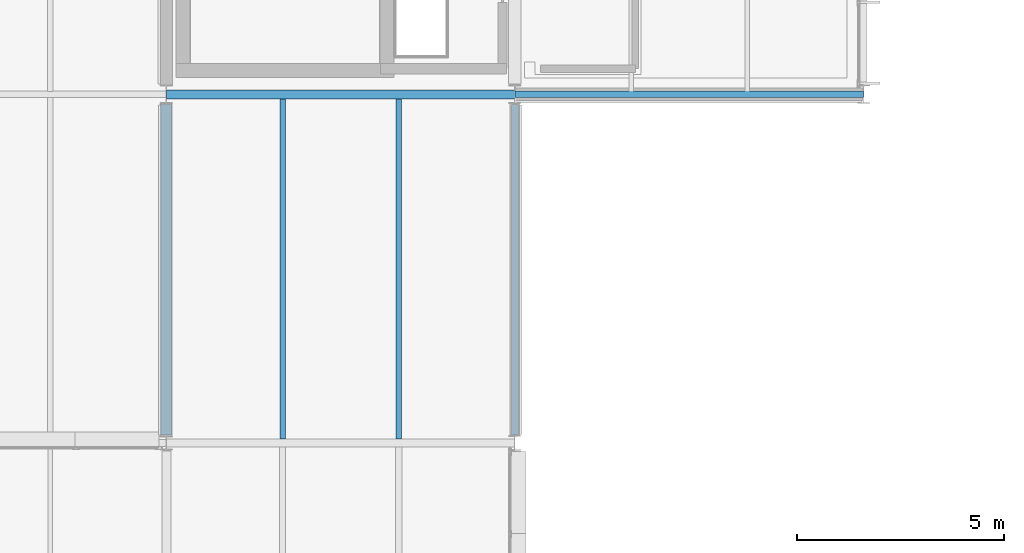
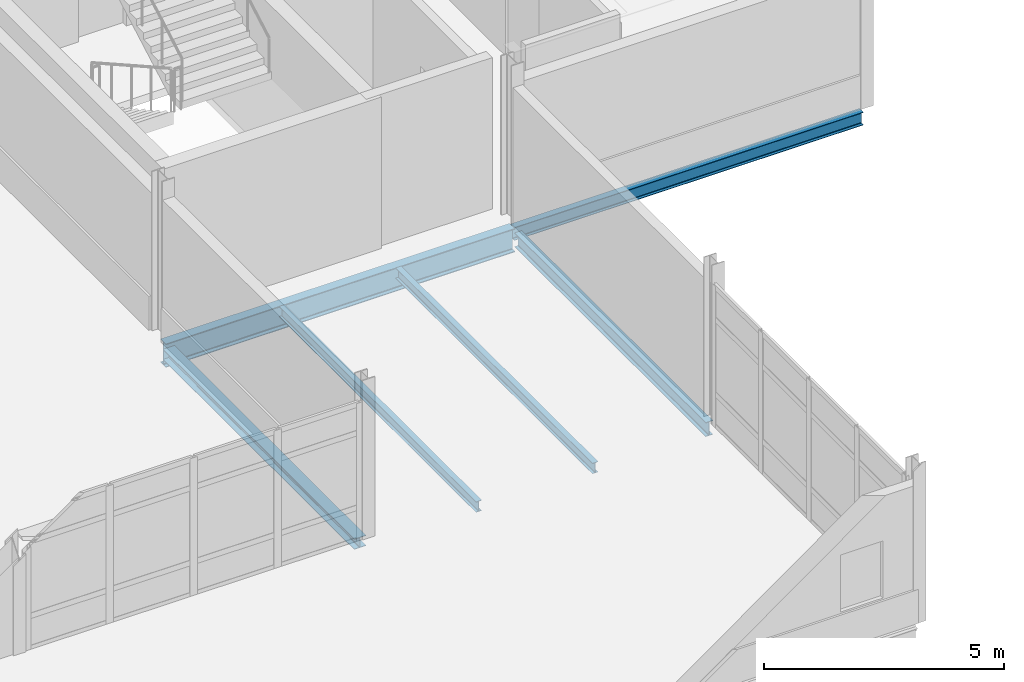
# One storey, part 46 of 131: 6 beams.
"""IFC4 building model written with IfcOpenShell, lengths in metres."""

from ifc_helpers import new_model, si_unit, direction, frame, origin, origin_2d, place, context, subcontext, project, spatial, i_section, extrude, material, material_profile, profile_set, type_object, element, save


model = new_model("IFC4")

# Units and contexts
model_context = context("Model", 3, precision=1e-05, world=origin(), true_north=direction((0.0, 1.0)))
body_context = subcontext(model_context, "Body", "Model", "MODEL_VIEW")
ifc_project = project(units=[si_unit("LENGTHUNIT", "METRE"), si_unit("AREAUNIT", "SQUARE_METRE"), si_unit("VOLUMEUNIT", "CUBIC_METRE"), si_unit("PLANEANGLEUNIT", "RADIAN"), si_unit("MASSUNIT", "GRAM", prefix="KILO")], contexts=[model_context])

# Site, building, storey
site_placement = place(None, origin())
site = spatial("IfcSite", under=ifc_project, at=site_placement, CompositionType="ELEMENT")
building_placement = place(site_placement, origin())
building = spatial("IfcBuilding", under=site, at=building_placement, Name="Mersafa Astral City Hall", CompositionType="ELEMENT")
storey_placement = place(building_placement, frame((0.0, 0.0, 13.949951171875)))
storey = spatial("IfcBuildingStorey", under=building, at=storey_placement, Name="L03", CompositionType="ELEMENT", Elevation=13.949951171875)

# Beams
ifc_material = material(Name="Steel S355", Category="steel")
ifc_material_profile_1 = material_profile(ifc_material, i_section(OverallWidth=0.219970703125, OverallDepth=0.60009765625, WebThickness=0.011962890625, FlangeThickness=0.01904296875, FilletRadius=0.02392578125, at=origin_2d()), Name="IPE 600")
ifc_profile_set_1 = profile_set([ifc_material_profile_1], Name="Steel S355")
beam_type_1 = type_object("IfcBeamType", Name="STR-BM-IPE600", PredefinedType="BEAM", material=ifc_profile_set_1)
beam_1_placement = place(storey_placement, frame((42.0029296875, 109.199951171875, -0.5), z_axis=(1.0, 0.0, 0.0), x_axis=(0.0, 1.0, 0.0)))
element("IfcBeam", 1, at=beam_1_placement, inside=storey, type_object=beam_type_1, Name="L03 Primary girder X 5-13", PredefinedType="BEAM", context=body_context, shape_type="SweptSolid", body=[
    extrude(i_section(OverallWidth=0.219970703125, OverallDepth=0.60009765625, WebThickness=0.011962890625, FlangeThickness=0.01904296875, FilletRadius=0.02392578125, at=origin_2d()), origin(), (0.0, 0.0, 1.0), 8.39404296875),
])
ifc_material_profile_2 = material_profile(ifc_material, i_section(OverallWidth=0.135009765625, OverallDepth=0.27001953125, WebThickness=0.006591796875, FlangeThickness=0.01025390625, FilletRadius=0.014892578125, at=origin_2d()), Name="IPE 270")
ifc_profile_set_2 = profile_set([ifc_material_profile_2], Name="Steel S355")
beam_type_2 = type_object("IfcBeamType", Name="STR-BM-JOIST-IPE270", PredefinedType="JOIST", material=ifc_profile_set_2)
for number, where, z_axis, x_axis, name in (
    (2, (44.800048828125, 100.89501953125, -0.3349609375), (0.0, 1.0, 0.0), (-1.0, 0.0, 0.0), "L03 Composite secondary floor joist 568"),
    (3, (47.60009765625, 100.89501953125, -0.3349609375), (0.0, 1.0, 0.0), (-1.0, 0.0, 0.0), "L03 Composite secondary floor joist 569"),
):
    element("IfcBeam", number, at=place(storey_placement, frame(where, z_axis=z_axis, x_axis=x_axis)), inside=storey, type_object=beam_type_2, Name=name, PredefinedType="JOIST", context=body_context, shape_type="SweptSolid", body=[
        extrude(i_section(OverallWidth=0.135009765625, OverallDepth=0.27001953125, WebThickness=0.006591796875, FlangeThickness=0.01025390625, FilletRadius=0.014892578125, at=origin_2d()), origin(), (0.0, 0.0, 1.0), 8.199951171875),
    ])
ifc_material_profile_3 = material_profile(ifc_material, i_section(OverallWidth=0.280029296875, OverallDepth=0.27001953125, WebThickness=0.008056640625, FlangeThickness=0.012939453125, FilletRadius=0.02392578125, at=origin_2d()), Name="HEA 280")
ifc_profile_set_3 = profile_set([ifc_material_profile_3], Name="Steel S355")
beam_type_3 = type_object("IfcBeamType", Name="STR-BM-SPANDREL-HEA280", PredefinedType="SPANDREL", material=ifc_profile_set_3)
beam_2_placement = place(storey_placement, frame((42.0, 100.9951171875, -0.3349609375), z_axis=(0.0, 1.0, 0.0), x_axis=(-1.0, 0.0, 0.0)))
element("IfcBeam", 4, at=beam_2_placement, inside=storey, type_object=beam_type_3, Name="L03 Primary girder Y 5-12", PredefinedType="SPANDREL", context=body_context, shape_type="SweptSolid", body=[
    extrude(i_section(OverallWidth=0.280029296875, OverallDepth=0.27001953125, WebThickness=0.008056640625, FlangeThickness=0.012939453125, FilletRadius=0.02392578125, at=origin_2d()), origin(), (0.0, 0.0, 1.0), 7.9599609375),
])
ifc_material_profile_4 = material_profile(ifc_material, i_section(OverallWidth=0.159912109375, OverallDepth=0.330078125, WebThickness=0.007568359375, FlangeThickness=0.011474609375, FilletRadius=0.01806640625, at=origin_2d()), Name="IPE 330")
ifc_profile_set_4 = profile_set([ifc_material_profile_4], Name="Steel S355")
beam_type_4 = type_object("IfcBeamType", Name="STR-BM-SPANDREL-IPE330", PredefinedType="SPANDREL", material=ifc_profile_set_4)
beam_3_placement = place(storey_placement, frame((50.403076171875, 109.199951171875, -0.364990234375), z_axis=(1.0, 0.0, 0.0), x_axis=(0.0, 1.0, 0.0)))
element("IfcBeam", 5, at=beam_3_placement, inside=storey, type_object=beam_type_4, Name="L03 Primary girder X 6-13", PredefinedType="SPANDREL", context=body_context, shape_type="SweptSolid", body=[
    extrude(i_section(OverallWidth=0.159912109375, OverallDepth=0.330078125, WebThickness=0.007568359375, FlangeThickness=0.011474609375, FilletRadius=0.01806640625, at=origin_2d()), origin(), (0.0, 0.0, 1.0), 8.39404296875),
])
ifc_material_profile_5 = material_profile(ifc_material, i_section(OverallWidth=0.169921875, OverallDepth=0.360107421875, WebThickness=0.008056640625, FlangeThickness=0.0126953125, FilletRadius=0.01806640625, at=origin_2d()), Name="IPE 360")
ifc_profile_set_5 = profile_set([ifc_material_profile_5], Name="Steel S355")
beam_type_5 = type_object("IfcBeamType", Name="STR-BM-SPANDREL-IPE360", PredefinedType="SPANDREL", material=ifc_profile_set_5)
beam_4_placement = place(storey_placement, frame((50.39990234375, 100.9951171875, -0.3798828125), z_axis=(0.0, 1.0, 0.0), x_axis=(-1.0, 0.0, 0.0)))
element("IfcBeam", 6, at=beam_4_placement, inside=storey, type_object=beam_type_5, Name="L03 Primary girder Y 6-12", PredefinedType="SPANDREL", context=body_context, shape_type="SweptSolid", body=[
    extrude(i_section(OverallWidth=0.169921875, OverallDepth=0.360107421875, WebThickness=0.008056640625, FlangeThickness=0.0126953125, FilletRadius=0.01806640625, at=origin_2d()), origin(), (0.0, 0.0, 1.0), 7.9599609375),
])

save(model, "model.ifc")
